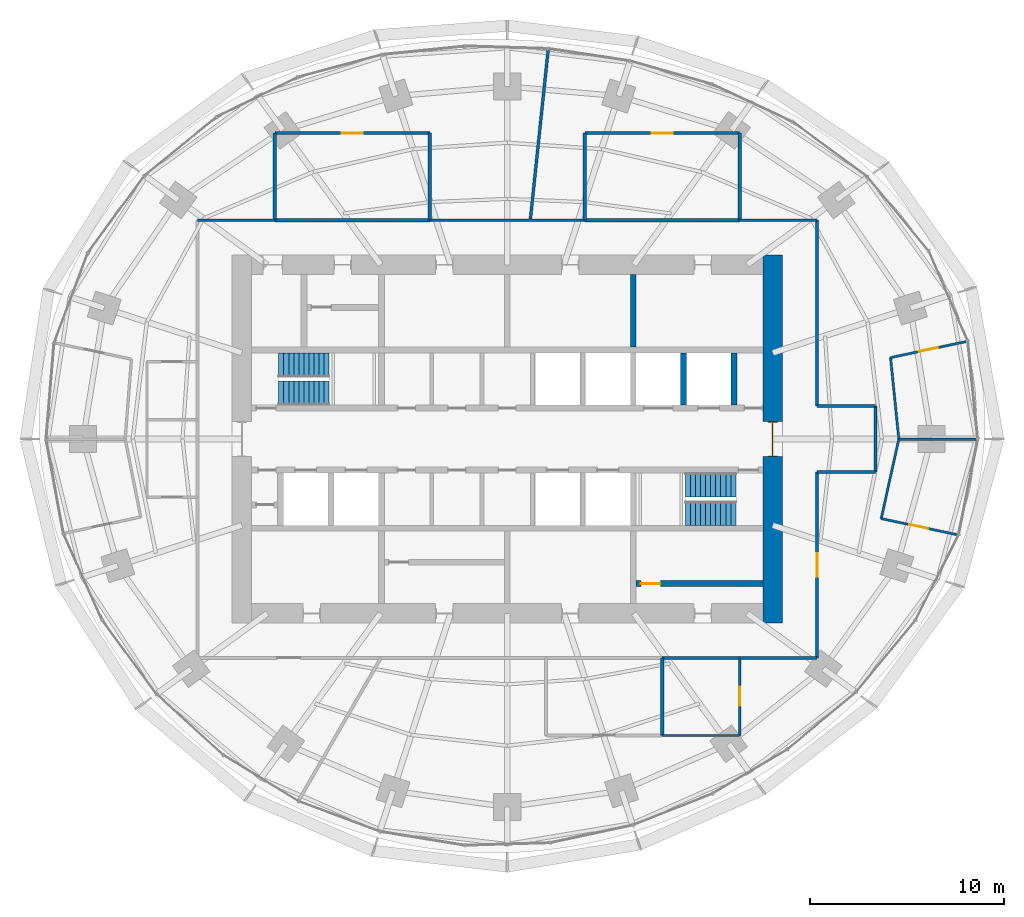
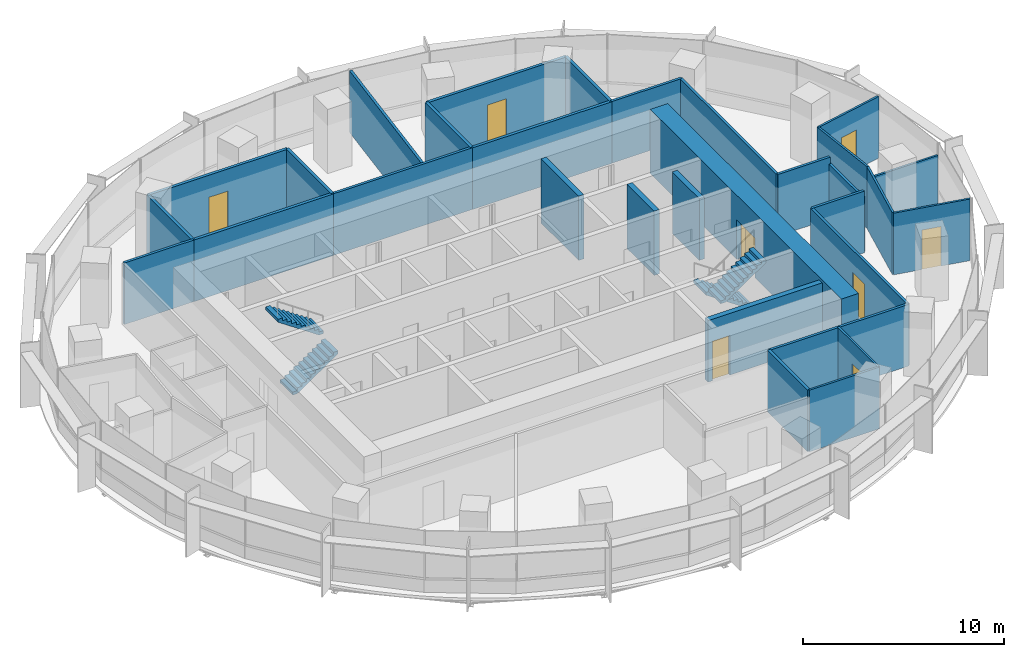
# One storey, part 12 of 14: 31 walls, 8 doors, 4 stair flights, 8 openings, 2 elements without a shape of their own.
"""IFC4 building model written with IfcOpenShell, lengths in metres."""

from ifc_helpers import new_model, si_unit, direction, frame, frame_2d, origin, place, context, subcontext, project, spatial, polyline, rectangle, outline, extrude, material, layer, layer_set, type_object, element, fill, aggregate, save


model = new_model("IFC4")

# Units and contexts
model_context = context("Model", 3, precision=1e-05, world=origin(), true_north=direction((0.0, 1.0)))
body_context = subcontext(model_context, "Body", "Model", "MODEL_VIEW")
ifc_project = project(units=[si_unit("LENGTHUNIT", "METRE"), si_unit("AREAUNIT", "SQUARE_METRE"), si_unit("VOLUMEUNIT", "CUBIC_METRE"), si_unit("PLANEANGLEUNIT", "RADIAN"), si_unit("MASSUNIT", "GRAM", prefix="KILO")], contexts=[model_context])

# Site, building, storey
site_placement = place(None, origin())
site = spatial("IfcSite", under=ifc_project, at=site_placement, CompositionType="ELEMENT")
building_placement = place(site_placement, origin())
building = spatial("IfcBuilding", under=site, at=building_placement, Name="Marramba Exchange Tower", CompositionType="ELEMENT")
storey_placement = place(building_placement, frame((0.0, 0.0, 176.0)))
storey = spatial("IfcBuildingStorey", under=building, at=storey_placement, Name="L42", CompositionType="ELEMENT", Elevation=176.0)

# Walls
ifc_material_1 = material(Name="Plasterboard on staggered double steel studs, acoustic insulation", Category="steel")
ifc_layer_1 = layer(ifc_material_1, 0.169921875)
ifc_layer_set_1 = layer_set([ifc_layer_1], Name="Acoustic partition 170")
wall_type_1 = type_object("IfcWallType", Name="Acoustic partition 170", PredefinedType="PARTITIONING", material=ifc_layer_set_1)
wall_1_placement = place(storey_placement, frame((8.0, -11.300048828125, 0.0), z_axis=(0.0, 0.0, 1.0), x_axis=(0.0, -1.0, 0.0)))
element("IfcWall", 1, at=wall_1_placement, inside=storey, type_object=wall_type_1, Name="Acoustic partition L42 09", PredefinedType="PARTITIONING", context=body_context, shape_type="SweptSolid", body=[
    extrude(rectangle(XDim=4.0, YDim=0.169921875, at=frame_2d((2.0, 0.0))), origin(), (0.0, 0.0, 1.0), 3.739990234375),
])
wall_2_placement = place(storey_placement, frame((12.0, 11.300048828125, 0.0), z_axis=(0.0, 0.0, 1.0), x_axis=(0.0, 1.0, 0.0)))
element("IfcWall", 2, at=wall_2_placement, inside=storey, type_object=wall_type_1, Name="Acoustic partition L42 24", PredefinedType="PARTITIONING", context=body_context, shape_type="SweptSolid", body=[
    extrude(rectangle(XDim=4.5, YDim=0.169921875, at=frame_2d((2.25, 0.0))), origin(), (0.0, 0.0, 1.0), 3.739990234375),
])
wall_3_placement = place(storey_placement, frame((4.0, 11.300048828125, 0.0), z_axis=(0.0, 0.0, 1.0), x_axis=(1.0, 0.0, 0.0)))
element("IfcWall", 3, at=wall_3_placement, inside=storey, type_object=wall_type_1, Name="Acoustic partition L42 25", PredefinedType="PARTITIONING", context=body_context, shape_type="SweptSolid", body=[
    extrude(rectangle(XDim=8.0, YDim=0.169921875, at=frame_2d((4.0, 0.0))), origin(), (0.0, 0.0, 1.0), 3.739990234375),
])

# Wall, opening, door
wall_4_placement = place(storey_placement, frame((12.0, 15.800048828125, 0.0), z_axis=(0.0, 0.0, 1.0), x_axis=(-1.0, 0.0, 0.0)))
wall_4 = element("IfcWall", 4, at=wall_4_placement, inside=storey, type_object=wall_type_1, Name="Acoustic partition L42 26", PredefinedType="PARTITIONING", context=body_context, shape_type="SweptSolid", body=[
    extrude(rectangle(XDim=8.0, YDim=0.169921875, at=frame_2d((4.0, 0.0))), origin(), (0.0, 0.0, 1.0), 3.739990234375),
])
opening_1_placement = place(wall_4_placement, frame((3.449951171875, 0.0, 0.0)))
opening_1 = element("IfcOpeningElement", 5, at=opening_1_placement, cuts=wall_4, Name="Opening D15", PredefinedType="OPENING", context=body_context, shape_type="SweptSolid", body=[
    extrude(rectangle(XDim=1.10009765625, YDim=2.39990234375, at=frame_2d((0.550048828125, 1.199951171875))), frame((0.0, 0.094970703125, 0.0), z_axis=(0.0, -1.0, 0.0), x_axis=(1.0, 0.0, 0.0)), (0.0, 0.0, 1.0), 0.18994140625),
])
ifc_material_2 = material(Name="Timber door", Category="wood")
door_type_1 = type_object("IfcDoorType", Name="Glazed meeting room door 1100x2400", OperationType="SINGLE_SWING_LEFT", PredefinedType="DOOR", material=ifc_material_2)
door_1_placement = place(opening_1_placement, origin())
door_1 = element("IfcDoor", 6, at=door_1_placement, inside=storey, type_object=door_type_1, Name="D15 Meeting Room 1 L42", OperationType="SINGLE_SWING_RIGHT", OverallHeight=2.39990234375, OverallWidth=1.10009765625, PredefinedType="DOOR", context=body_context, shape_type="SweptSolid", body=[
    extrude(rectangle(XDim=1.10009765625, YDim=2.39990234375, at=frame_2d((0.550048828125, 1.199951171875))), frame((0.0, 0.02490234375, 0.0), z_axis=(0.0, -1.0, 0.0), x_axis=(1.0, 0.0, 0.0)), (0.0, 0.0, 1.0), 0.050048828125),
])
fill(opening_1, door_1)

# Walls
for number, where, z_axis, x_axis, name in (
    (7, (4.0, 15.800048828125, 0.0), (0.0, 0.0, 1.0), (0.0, -1.0, 0.0), "Acoustic partition L42 27"),
    (8, (-4.0, 11.300048828125, 0.0), (0.0, 0.0, 1.0), (0.0, 1.0, 0.0), "Acoustic partition L42 30"),
):
    element("IfcWall", number, at=place(storey_placement, frame(where, z_axis=z_axis, x_axis=x_axis)), inside=storey, type_object=wall_type_1, Name=name, PredefinedType="PARTITIONING", context=body_context, shape_type="SweptSolid", body=[
        extrude(rectangle(XDim=4.5, YDim=0.169921875, at=frame_2d((2.25, 0.0))), origin(), (0.0, 0.0, 1.0), 3.739990234375),
    ])

# Wall, opening, door
wall_5_placement = place(storey_placement, frame((-4.0, 15.800048828125, 0.0), z_axis=(0.0, 0.0, 1.0), x_axis=(-1.0, 0.0, 0.0)))
wall_5 = element("IfcWall", 9, at=wall_5_placement, inside=storey, type_object=wall_type_1, Name="Acoustic partition L42 31", PredefinedType="PARTITIONING", context=body_context, shape_type="SweptSolid", body=[
    extrude(rectangle(XDim=8.0, YDim=0.169921875, at=frame_2d((4.0, 0.0))), origin(), (0.0, 0.0, 1.0), 3.739990234375),
])
opening_2_placement = place(wall_5_placement, frame((3.449951171875, 0.0, 0.0)))
opening_2 = element("IfcOpeningElement", 10, at=opening_2_placement, cuts=wall_5, Name="Opening D15", PredefinedType="OPENING", context=body_context, shape_type="SweptSolid", body=[
    extrude(rectangle(XDim=1.10009765625, YDim=2.39990234375, at=frame_2d((0.550048828125, 1.199951171875))), frame((0.0, 0.094970703125, 0.0), z_axis=(0.0, -1.0, 0.0), x_axis=(1.0, 0.0, 0.0)), (0.0, 0.0, 1.0), 0.18994140625),
])
door_2_placement = place(opening_2_placement, origin())
door_2 = element("IfcDoor", 11, at=door_2_placement, inside=storey, type_object=door_type_1, Name="D15 Meeting Room 3 L42", OperationType="SINGLE_SWING_RIGHT", OverallHeight=2.39990234375, OverallWidth=1.10009765625, PredefinedType="DOOR", context=body_context, shape_type="SweptSolid", body=[
    extrude(rectangle(XDim=1.10009765625, YDim=2.39990234375, at=frame_2d((0.550048828125, 1.199951171875))), frame((0.0, 0.02490234375, 0.0), z_axis=(0.0, -1.0, 0.0), x_axis=(1.0, 0.0, 0.0)), (0.0, 0.0, 1.0), 0.050048828125),
])
fill(opening_2, door_2)

# Walls
wall_6_placement = place(storey_placement, frame((-12.0, 11.300048828125, 0.0), z_axis=(0.0, 0.0, 1.0), x_axis=(1.0, 0.0, 0.0)))
element("IfcWall", 12, at=wall_6_placement, inside=storey, type_object=wall_type_1, Name="Acoustic partition L42 32", PredefinedType="PARTITIONING", context=body_context, shape_type="SweptSolid", body=[
    extrude(rectangle(XDim=8.0, YDim=0.169921875, at=frame_2d((4.0, 0.0))), origin(), (0.0, 0.0, 1.0), 3.739990234375),
])
wall_7_placement = place(storey_placement, frame((-12.0, 15.800048828125, 0.0), z_axis=(0.0, 0.0, 1.0), x_axis=(0.0, -1.0, 0.0)))
element("IfcWall", 13, at=wall_7_placement, inside=storey, type_object=wall_type_1, Name="Acoustic partition L42 33", PredefinedType="PARTITIONING", context=body_context, shape_type="SweptSolid", body=[
    extrude(rectangle(XDim=4.5, YDim=0.169921875, at=frame_2d((2.25, 0.0))), origin(), (0.0, 0.0, 1.0), 3.739990234375),
])

# Wall, opening, door
ifc_material_3 = material(Name="Concrete N50", Category="concrete")
ifc_layer_2 = layer(ifc_material_3, 1.0)
ifc_layer_set_2 = layer_set([ifc_layer_2], Name="Core wall 1000")
wall_type_2 = type_object("IfcWallType", Name="Core wall 1000", PredefinedType="SHEAR", material=ifc_layer_set_2)
wall_8_placement = place(storey_placement, frame((13.699951171875, -9.5, 0.0), z_axis=(0.0, 0.0, 1.0), x_axis=(0.0, 1.0, 0.0)))
wall_8 = element("IfcWall", 14, at=wall_8_placement, inside=storey, type_object=wall_type_2, Name="Core wall E L42", PredefinedType="SHEAR", context=body_context, shape_type="SweptSolid", body=[
    extrude(rectangle(XDim=19.0, YDim=1.0, at=frame_2d((9.5, 0.0))), origin(), (0.0, 0.0, 1.0), 3.89990234375),
])
opening_3_placement = place(wall_8_placement, frame((8.60009765625, 0.0, 0.0)))
opening_3 = element("IfcOpeningElement", 15, at=opening_3_placement, cuts=wall_8, Name="Opening D1", PredefinedType="OPENING", context=body_context, shape_type="SweptSolid", body=[
    extrude(rectangle(XDim=1.800048828125, YDim=2.39990234375, at=frame_2d((0.89990234375, 1.199951171875))), frame((0.0, 0.510009765625, 0.0), z_axis=(0.0, -1.0, 0.0), x_axis=(1.0, 0.0, 0.0)), (0.0, 0.0, 1.0), 1.02001953125),
])
ifc_material_4 = material(Name="Steel-framed door", Category="steel")
door_type_2 = type_object("IfcDoorType", Name="Lobby exit door 1800x2400", OperationType="DOUBLE_DOOR_SINGLE_SWING", PredefinedType="DOOR", material=ifc_material_4)
door_3_placement = place(opening_3_placement, origin())
door_3 = element("IfcDoor", 16, at=door_3_placement, inside=storey, type_object=door_type_2, Name="D1 lobby exit east L42", OperationType="DOUBLE_DOOR_SINGLE_SWING", OverallHeight=2.39990234375, OverallWidth=1.800048828125, PredefinedType="DOOR", context=body_context, shape_type="SweptSolid", body=[
    extrude(rectangle(XDim=1.719970703125, YDim=2.35986328125, at=frame_2d((0.89990234375, 1.179931640625))), frame((0.0, 0.02490234375, 0.0), z_axis=(0.0, -1.0, 0.0), x_axis=(1.0, 0.0, 0.0)), (0.0, 0.0, 1.0), 0.050048828125),
    extrude(rectangle(XDim=0.04, YDim=2.39990234375, at=frame_2d((0.02001953125, 1.199951171875))), frame((0.0, 0.25, 0.0), z_axis=(0.0, -1.0, 0.0), x_axis=(1.0, 0.0, 0.0)), (0.0, 0.0, 1.0), 0.5),
    extrude(rectangle(XDim=0.04, YDim=2.39990234375, at=frame_2d((1.780029296875, 1.199951171875))), frame((0.0, 0.25, 0.0), z_axis=(0.0, -1.0, 0.0), x_axis=(1.0, 0.0, 0.0)), (0.0, 0.0, 1.0), 0.5),
    extrude(rectangle(XDim=1.719970703125, YDim=0.04, at=frame_2d((0.89990234375, 2.3798828125))), frame((0.0, 0.25, 0.0), z_axis=(0.0, -1.0, 0.0), x_axis=(1.0, 0.0, 0.0)), (0.0, 0.0, 1.0), 0.5),
])
fill(opening_3, door_3)

# Walls
ifc_layer_3 = layer(ifc_material_3, 0.300048828125)
ifc_layer_set_3 = layer_set([ifc_layer_3], Name="Core wall 300")
wall_type_3 = type_object("IfcWallType", Name="Core wall 300", PredefinedType="SHEAR", material=ifc_layer_set_3)
wall_9_placement = place(storey_placement, frame((6.5, 4.75, 0.0), z_axis=(0.0, 0.0, 1.0), x_axis=(0.0, 1.0, 0.0)))
element("IfcWall", 17, at=wall_9_placement, inside=storey, type_object=wall_type_3, Name="Core wall X1Nb L42", PredefinedType="SHEAR", context=body_context, shape_type="SweptSolid", body=[
    extrude(rectangle(XDim=3.75, YDim=0.300048828125, at=frame_2d((1.875, 0.0))), origin(), (0.0, 0.0, 1.0), 3.89990234375),
])
wall_10_placement = place(storey_placement, frame((9.10009765625, 1.75, 0.0), z_axis=(0.0, 0.0, 1.0), x_axis=(0.0, 1.0, 0.0)))
element("IfcWall", 18, at=wall_10_placement, inside=storey, type_object=wall_type_3, Name="Core wall ED L42", PredefinedType="SHEAR", context=body_context, shape_type="SweptSolid", body=[
    extrude(rectangle(XDim=2.699951171875, YDim=0.300048828125, at=frame_2d((1.35009765625, 0.0))), origin(), (0.0, 0.0, 1.0), 3.89990234375),
])
ifc_material_5 = material(Name="Core-filled concrete blockwork", Category="masonry")
ifc_layer_4 = layer(ifc_material_5, 0.300048828125)
ifc_layer_set_4 = layer_set([ifc_layer_4], Name="Lift shaft wall 300")
wall_type_4 = type_object("IfcWallType", Name="Lift shaft wall 300", PredefinedType="SOLIDWALL", material=ifc_layer_set_4)
wall_11_placement = place(storey_placement, frame((11.699951171875, 1.75, 0.0), z_axis=(0.0, 0.0, 1.0), x_axis=(0.0, 1.0, 0.0)))
element("IfcWall", 19, at=wall_11_placement, inside=storey, type_object=wall_type_4, Name="Lift shaft wall E1 L42", PredefinedType="SOLIDWALL", context=body_context, shape_type="SweptSolid", body=[
    extrude(rectangle(XDim=2.699951171875, YDim=0.300048828125, at=frame_2d((1.35009765625, 0.0))), origin(), (0.0, 0.0, 1.0), 3.739990234375),
])
ifc_material_6 = material(Name="Plasterboard on steel studs", Category="steel")
ifc_layer_5 = layer(ifc_material_6, 0.1201171875)
ifc_layer_set_5 = layer_set([ifc_layer_5], Name="Partition 120")
wall_type_5 = type_object("IfcWallType", Name="Partition 120", PredefinedType="PARTITIONING", material=ifc_layer_set_5)
wall_12_placement = place(storey_placement, frame((8.0, -15.300048828125, 0.0), z_axis=(0.0, 0.0, 1.0), x_axis=(1.0, 0.0, 0.0)))
element("IfcWall", 20, at=wall_12_placement, inside=storey, type_object=wall_type_5, Name="Partition L42 10", PredefinedType="PARTITIONING", context=body_context, shape_type="SweptSolid", body=[
    extrude(rectangle(XDim=4.0, YDim=0.1201171875, at=frame_2d((2.0, 0.0))), origin(), (0.0, 0.0, 1.0), 3.739990234375),
])

# Wall, opening, door
wall_13_placement = place(storey_placement, frame((12.0, -15.300048828125, 0.0), z_axis=(0.0, 0.0, 1.0), x_axis=(0.0, 1.0, 0.0)))
wall_13 = element("IfcWall", 21, at=wall_13_placement, inside=storey, type_object=wall_type_5, Name="Partition L42 11", PredefinedType="PARTITIONING", context=body_context, shape_type="SweptSolid", body=[
    extrude(rectangle(XDim=4.0, YDim=0.1201171875, at=frame_2d((2.0, 0.0))), origin(), (0.0, 0.0, 1.0), 3.739990234375),
])
opening_4_placement = place(wall_13_placement, frame((1.52587890625, 0.0, 0.0)))
opening_4 = element("IfcOpeningElement", 22, at=opening_4_placement, cuts=wall_13, Name="Opening D9", PredefinedType="OPENING", context=body_context, shape_type="SweptSolid", body=[
    extrude(rectangle(XDim=1.0, YDim=2.39990234375, at=frame_2d((0.5, 1.199951171875))), frame((0.0, 0.070068359375, 0.0), z_axis=(0.0, -1.0, 0.0), x_axis=(1.0, 0.0, 0.0)), (0.0, 0.0, 1.0), 0.14013671875),
])
door_type_3 = type_object("IfcDoorType", Name="Room door 1000x2400", OperationType="SINGLE_SWING_LEFT", PredefinedType="DOOR", material=ifc_material_2)
door_4_placement = place(opening_4_placement, origin())
door_4 = element("IfcDoor", 23, at=door_4_placement, inside=storey, type_object=door_type_3, Name="D9 Pantry 1 L42", OperationType="SINGLE_SWING_RIGHT", OverallHeight=2.39990234375, OverallWidth=1.0, PredefinedType="DOOR", context=body_context, shape_type="SweptSolid", body=[
    extrude(rectangle(XDim=1.0, YDim=2.39990234375, at=frame_2d((0.5, 1.199951171875))), frame((0.0, 0.02490234375, 0.0), z_axis=(0.0, -1.0, 0.0), x_axis=(1.0, 0.0, 0.0)), (0.0, 0.0, 1.0), 0.050048828125),
])
fill(opening_4, door_4)

wall_14_placement = place(storey_placement, frame((19.3056640625, -4.103515625, 0.0), z_axis=(0.0, 0.0, 1.0), x_axis=(0.978137903693, -0.207957306576, 0.0)))
wall_14 = element("IfcWall", 24, at=wall_14_placement, inside=storey, type_object=wall_type_5, Name="Partition L42 14", PredefinedType="PARTITIONING", context=body_context, shape_type="SweptSolid", body=[
    extrude(rectangle(XDim=3.999755859375, YDim=0.1201171875, at=frame_2d((2.0, 0.0))), origin(), (0.0, 0.0, 1.0), 3.739990234375),
])
opening_5_placement = place(wall_14_placement, frame((1.47412109375, 0.0, 0.0)))
opening_5 = element("IfcOpeningElement", 25, at=opening_5_placement, cuts=wall_14, Name="Opening D9", PredefinedType="OPENING", context=body_context, shape_type="SweptSolid", body=[
    extrude(rectangle(XDim=1.0, YDim=2.39990234375, at=frame_2d((0.5, 1.199951171875))), frame((0.0, 0.070068359375, 0.0), z_axis=(0.0, -1.0, 0.0), x_axis=(1.0, 0.0, 0.0)), (0.0, 0.0, 1.0), 0.14013671875),
])
door_5_placement = place(opening_5_placement, origin())
door_5 = element("IfcDoor", 26, at=door_5_placement, inside=storey, type_object=door_type_3, Name="D9 Office 1 L42", OperationType="SINGLE_SWING_LEFT", OverallHeight=2.39990234375, OverallWidth=1.0, PredefinedType="DOOR", context=body_context, shape_type="SweptSolid", body=[
    extrude(rectangle(XDim=1.0, YDim=2.39990234375, at=frame_2d((0.5, 1.199951171875))), frame((0.0, 0.02490234375, 0.0), z_axis=(0.0, -1.0, 0.0), x_axis=(1.0, 0.0, 0.0)), (0.0, 0.0, 1.0), 0.050048828125),
])
fill(opening_5, door_5)

# Walls
wall_15_placement = place(storey_placement, frame((20.214111328125, 0.0, 0.0), z_axis=(0.0, 0.0, 1.0), x_axis=(-0.216149261834, -0.976360331337, 0.0)))
element("IfcWall", 27, at=wall_15_placement, inside=storey, type_object=wall_type_5, Name="Partition L42 15", PredefinedType="PARTITIONING", context=body_context, shape_type="SweptSolid", body=[
    extrude(rectangle(XDim=4.202880859375, YDim=0.1201171875, at=frame_2d((2.1015625, 0.0))), origin(), (0.0, 0.0, 1.0), 3.739990234375),
])
wall_16_placement = place(storey_placement, frame((20.214111328125, 0.0, 0.0), z_axis=(0.0, 0.0, 1.0), x_axis=(1.0, 0.0, 0.0)))
element("IfcWall", 28, at=wall_16_placement, inside=storey, type_object=wall_type_5, Name="Partition L42 18", PredefinedType="PARTITIONING", context=body_context, shape_type="SweptSolid", body=[
    extrude(rectangle(XDim=4.0, YDim=0.1201171875, at=frame_2d((2.0, 0.0))), origin(), (0.0, 0.0, 1.0), 3.0400390625),
])
wall_17_placement = place(storey_placement, frame((19.787841796875, 4.2060546875, 0.0), z_axis=(0.0, 0.0, 1.0), x_axis=(0.100830147459, -0.994903654312, 0.0)))
element("IfcWall", 29, at=wall_17_placement, inside=storey, type_object=wall_type_5, Name="Partition L42 20", PredefinedType="PARTITIONING", context=body_context, shape_type="SweptSolid", body=[
    extrude(rectangle(XDim=4.2275390625, YDim=0.1201171875, at=frame_2d((2.11376953125, 0.0))), origin(), (0.0, 0.0, 1.0), 3.739990234375),
])

# Wall, opening, door
wall_18_placement = place(storey_placement, frame((23.700439453125, 5.03759765625, 0.0), z_axis=(0.0, 0.0, 1.0), x_axis=(-0.978152955943, -0.207886494942, 0.0)))
wall_18 = element("IfcWall", 30, at=wall_18_placement, inside=storey, type_object=wall_type_5, Name="Partition L42 21", PredefinedType="PARTITIONING", context=body_context, shape_type="SweptSolid", body=[
    extrude(rectangle(XDim=4.0, YDim=0.1201171875, at=frame_2d((2.0, 0.0))), origin(), (0.0, 0.0, 1.0), 3.739990234375),
])
opening_6_placement = place(wall_18_placement, frame((1.5, 0.0, 0.0)))
opening_6 = element("IfcOpeningElement", 31, at=opening_6_placement, cuts=wall_18, Name="Opening D9", PredefinedType="OPENING", context=body_context, shape_type="SweptSolid", body=[
    extrude(rectangle(XDim=1.0, YDim=2.39990234375, at=frame_2d((0.5, 1.199951171875))), frame((0.0, 0.070068359375, 0.0), z_axis=(0.0, -1.0, 0.0), x_axis=(1.0, 0.0, 0.0)), (0.0, 0.0, 1.0), 0.14013671875),
])
door_6_placement = place(opening_6_placement, origin())
door_6 = element("IfcDoor", 32, at=door_6_placement, inside=storey, type_object=door_type_3, Name="D9 Office 2 L42", OperationType="SINGLE_SWING_RIGHT", OverallHeight=2.39990234375, OverallWidth=1.0, PredefinedType="DOOR", context=body_context, shape_type="SweptSolid", body=[
    extrude(rectangle(XDim=1.0, YDim=2.39990234375, at=frame_2d((0.5, 1.199951171875))), frame((0.0, 0.02490234375, 0.0), z_axis=(0.0, -1.0, 0.0), x_axis=(1.0, 0.0, 0.0)), (0.0, 0.0, 1.0), 0.050048828125),
])
fill(opening_6, door_6)

ifc_material_7 = material(Name="Plasterboard on steel studs, insulated, unrated", Category="steel")
ifc_layer_6 = layer(ifc_material_7, 0.300048828125)
ifc_layer_set_6 = layer_set([ifc_layer_6], Name="Store partition 300")
wall_type_6 = type_object("IfcWallType", Name="Store partition 300", PredefinedType="PARTITIONING", material=ifc_layer_set_6)
wall_19_placement = place(storey_placement, frame((6.64990234375, -7.4599609375, 0.0), z_axis=(0.0, 0.0, 1.0), x_axis=(1.0, 0.0, 0.0)))
wall_19 = element("IfcWall", 33, at=wall_19_placement, inside=storey, type_object=wall_type_6, Name="Store partition L42 cstore", PredefinedType="PARTITIONING", context=body_context, shape_type="SweptSolid", body=[
    extrude(rectangle(XDim=6.550048828125, YDim=0.300048828125, at=frame_2d((3.27490234375, 0.0))), origin(), (0.0, 0.0, 1.0), 3.739990234375),
])
opening_7_placement = place(wall_19_placement, frame((0.25, 0.0, 0.0)))
opening_7 = element("IfcOpeningElement", 34, at=opening_7_placement, cuts=wall_19, Name="Opening D9", PredefinedType="OPENING", context=body_context, shape_type="SweptSolid", body=[
    extrude(rectangle(XDim=1.0, YDim=2.39990234375, at=frame_2d((0.5, 1.199951171875))), frame((0.0, 0.159912109375, 0.0), z_axis=(0.0, -1.0, 0.0), x_axis=(1.0, 0.0, 0.0)), (0.0, 0.0, 1.0), 0.320068359375),
])
door_7_placement = place(opening_7_placement, frame((1.0, 0.0, 0.0), z_axis=(0.0, 0.0, 1.0), x_axis=(-1.0, 0.0, 0.0)))
door_7 = element("IfcDoor", 35, at=door_7_placement, inside=storey, type_object=door_type_3, Name="D9 general store L42", OperationType="SINGLE_SWING_RIGHT", OverallHeight=2.39990234375, OverallWidth=1.0, PredefinedType="DOOR", context=body_context, shape_type="SweptSolid", body=[
    extrude(rectangle(XDim=1.0, YDim=2.39990234375, at=frame_2d((0.5, 1.199951171875))), frame((0.0, 0.025146484375, 0.0), z_axis=(0.0, -1.0, 0.0), x_axis=(1.0, 0.0, 0.0)), (0.0, 0.0, 1.0), 0.050048828125),
])
fill(opening_7, door_7)

# Wall
ifc_material_8 = material(Name="Fire-rated plasterboard on steel studs, acoustic insulation", Category="steel")
ifc_layer_7 = layer(ifc_material_8, 0.14990234375)
ifc_layer_set_7 = layer_set([ifc_layer_7], Name="Tenancy wall 150")
wall_type_7 = type_object("IfcWallType", Name="Tenancy wall 150", PredefinedType="PARTITIONING", material=ifc_layer_set_7)
wall_20_placement = place(storey_placement, frame((8.0, -11.300048828125, 0.0), z_axis=(0.0, 0.0, 1.0), x_axis=(1.0, 0.0, 0.0)))
element("IfcWall", 36, at=wall_20_placement, inside=storey, type_object=wall_type_7, Name="Tenancy wall L42 12", PredefinedType="PARTITIONING", context=body_context, shape_type="SweptSolid", body=[
    extrude(rectangle(XDim=8.0, YDim=0.14990234375, at=frame_2d((4.0, 0.0))), origin(), (0.0, 0.0, 1.0), 3.739990234375),
])

# Wall, opening, door
wall_21_placement = place(storey_placement, frame((16.0, -11.300048828125, 0.0), z_axis=(0.0, 0.0, 1.0), x_axis=(0.0, 1.0, 0.0)))
wall_21 = element("IfcWall", 37, at=wall_21_placement, inside=storey, type_object=wall_type_7, Name="Tenancy wall L42 13", PredefinedType="PARTITIONING", context=body_context, shape_type="SweptSolid", body=[
    extrude(rectangle(XDim=9.60009765625, YDim=0.14990234375, at=frame_2d((4.800048828125, 0.0))), origin(), (0.0, 0.0, 1.0), 3.739990234375),
])
opening_8_placement = place(wall_21_placement, frame((4.199951171875, 0.0, 0.0)))
opening_8 = element("IfcOpeningElement", 38, at=opening_8_placement, cuts=wall_21, Name="Opening D13", PredefinedType="OPENING", context=body_context, shape_type="SweptSolid", body=[
    extrude(rectangle(XDim=1.199951171875, YDim=2.39990234375, at=frame_2d((0.60009765625, 1.199951171875))), frame((0.0, 0.0849609375, 0.0), z_axis=(0.0, -1.0, 0.0), x_axis=(1.0, 0.0, 0.0)), (0.0, 0.0, 1.0), 0.169921875),
])
door_type_4 = type_object("IfcDoorType", Name="Tenancy entry door 1200x2400", OperationType="SINGLE_SWING_LEFT", PredefinedType="DOOR", material=ifc_material_4)
door_8_placement = place(opening_8_placement, origin())
door_8 = element("IfcDoor", 39, at=door_8_placement, inside=storey, type_object=door_type_4, Name="D13 Office 1 L42", OperationType="SINGLE_SWING_LEFT", OverallHeight=2.39990234375, OverallWidth=1.199951171875, PredefinedType="DOOR", context=body_context, shape_type="SweptSolid", body=[
    extrude(rectangle(XDim=1.199951171875, YDim=2.39990234375, at=frame_2d((0.60009765625, 1.199951171875))), frame((0.0, 0.02490234375, 0.0), z_axis=(0.0, -1.0, 0.0), x_axis=(1.0, 0.0, 0.0)), (0.0, 0.0, 1.0), 0.050048828125),
])
fill(opening_8, door_8)

# Walls
wall_22_placement = place(storey_placement, frame((16.0, -1.699951171875, 0.0), z_axis=(0.0, 0.0, 1.0), x_axis=(1.0, 0.0, 0.0)))
element("IfcWall", 40, at=wall_22_placement, inside=storey, type_object=wall_type_7, Name="Tenancy wall L42 16", PredefinedType="PARTITIONING", context=body_context, shape_type="SweptSolid", body=[
    extrude(rectangle(XDim=3.0, YDim=0.14990234375, at=frame_2d((1.5, 0.0))), origin(), (0.0, 0.0, 1.0), 3.739990234375),
])
wall_23_placement = place(storey_placement, frame((19.0, -1.699951171875, 0.0), z_axis=(0.0, 0.0, 1.0), x_axis=(0.0, 1.0, 0.0)))
element("IfcWall", 41, at=wall_23_placement, inside=storey, type_object=wall_type_7, Name="Tenancy wall L42 17", PredefinedType="PARTITIONING", context=body_context, shape_type="SweptSolid", body=[
    extrude(rectangle(XDim=3.39990234375, YDim=0.14990234375, at=frame_2d((1.699951171875, 0.0))), origin(), (0.0, 0.0, 1.0), 3.333984375),
])
wall_24_placement = place(storey_placement, frame((19.0, 1.699951171875, 0.0), z_axis=(0.0, 0.0, 1.0), x_axis=(-1.0, 0.0, 0.0)))
element("IfcWall", 42, at=wall_24_placement, inside=storey, type_object=wall_type_7, Name="Tenancy wall L42 19", PredefinedType="PARTITIONING", context=body_context, shape_type="SweptSolid", body=[
    extrude(rectangle(XDim=3.0, YDim=0.14990234375, at=frame_2d((1.5, 0.0))), origin(), (0.0, 0.0, 1.0), 3.739990234375),
])
wall_25_placement = place(storey_placement, frame((16.0, 1.699951171875, 0.0), z_axis=(0.0, 0.0, 1.0), x_axis=(0.0, 1.0, 0.0)))
element("IfcWall", 43, at=wall_25_placement, inside=storey, type_object=wall_type_7, Name="Tenancy wall L42 22", PredefinedType="PARTITIONING", context=body_context, shape_type="SweptSolid", body=[
    extrude(rectangle(XDim=9.60009765625, YDim=0.14990234375, at=frame_2d((4.800048828125, 0.0))), origin(), (0.0, 0.0, 1.0), 3.739990234375),
])
wall_26_placement = place(storey_placement, frame((16.0, 11.300048828125, 0.0), z_axis=(0.0, 0.0, 1.0), x_axis=(-1.0, 0.0, 0.0)))
element("IfcWall", 44, at=wall_26_placement, inside=storey, type_object=wall_type_7, Name="Tenancy wall L42 23", PredefinedType="PARTITIONING", context=body_context, shape_type="SweptSolid", body=[
    extrude(rectangle(XDim=4.0, YDim=0.14990234375, at=frame_2d((2.0, 0.0))), origin(), (0.0, 0.0, 1.0), 3.739990234375),
])
wall_27_placement = place(storey_placement, frame((1.187744140625, 11.300048828125, 0.0), z_axis=(0.0, 0.0, 1.0), x_axis=(0.104530715581, 0.994521658638, 0.0)))
element("IfcWall", 45, at=wall_27_placement, inside=storey, type_object=wall_type_7, Name="Tenancy wall L42 28", PredefinedType="PARTITIONING", context=body_context, shape_type="SweptSolid", body=[
    extrude(rectangle(XDim=8.826171875, YDim=0.14990234375, at=frame_2d((4.4130859375, 0.0))), origin(), (0.0, 0.0, 1.0), 3.739990234375),
])
wall_28_placement = place(storey_placement, frame((4.0, 11.300048828125, 0.0), z_axis=(0.0, 0.0, 1.0), x_axis=(-1.0, 0.0, 0.0)))
element("IfcWall", 46, at=wall_28_placement, inside=storey, type_object=wall_type_7, Name="Tenancy wall L42 29", PredefinedType="PARTITIONING", context=body_context, shape_type="SweptSolid", body=[
    extrude(rectangle(XDim=8.0, YDim=0.14990234375, at=frame_2d((4.0, 0.0))), origin(), (0.0, 0.0, 1.0), 3.739990234375),
])
wall_29_placement = place(storey_placement, frame((-12.0, 11.300048828125, 0.0), z_axis=(0.0, 0.0, 1.0), x_axis=(-1.0, 0.0, 0.0)))
element("IfcWall", 47, at=wall_29_placement, inside=storey, type_object=wall_type_7, Name="Tenancy wall L42 34", PredefinedType="PARTITIONING", context=body_context, shape_type="SweptSolid", body=[
    extrude(rectangle(XDim=4.0, YDim=0.14990234375, at=frame_2d((2.0, 0.0))), origin(), (0.0, 0.0, 1.0), 3.739990234375),
])

# Stair, stair flights
ifc_material_9 = material(Name="Concrete N40 (40 MPa)", Category="concrete")
stair_type_1 = type_object("IfcStairType", Name="Exit stair ST1 3900 x 1250", PredefinedType="HALF_TURN_STAIR", material=ifc_material_9)
stair_1_placement = place(storey_placement, origin())
stair_1 = element("IfcStair", 48, at=stair_1_placement, inside=storey, type_object=stair_type_1, Name="Exit stair ST1 L42", PredefinedType="HALF_TURN_STAIR")
stair_flight_type_1 = type_object("IfcStairFlightType", Name="ST1 stair flight 1773 riser 1250 wide", PredefinedType="STRAIGHT", material=ifc_material_9)
stair_flight_1_placement = place(storey_placement, frame((-11.800048828125, 2.375, 0.0), z_axis=(0.0, 0.0, 1.0), x_axis=(1.0, 0.0, 0.0)))
stair_flight_1 = element("IfcStairFlight", 49, at=stair_flight_1_placement, type_object=stair_flight_type_1, Name="ST1 flight 1", NumberOfRisers=11, NumberOfTreads=10, PredefinedType="STRAIGHT", RiserHeight=0.177272727, TreadLength=0.26, context=body_context, shape_type="SweptSolid", body=[
    extrude(outline(polyline([(0.0, 0.0), (0.0, 0.17724609375), (0.260009765625, 0.17724609375), (0.260009765625, 0.3544921875), (0.52001953125, 0.3544921875), (0.52001953125, 0.53173828125), (0.780029296875, 0.53173828125), (0.780029296875, 0.708984375), (1.0400390625, 0.708984375), (1.0400390625, 0.886474609375), (1.300048828125, 0.886474609375), (1.300048828125, 1.063720703125), (1.56005859375, 1.063720703125), (1.56005859375, 1.240966796875), (1.820068359375, 1.240966796875), (1.820068359375, 1.418212890625), (2.080078125, 1.418212890625), (2.080078125, 1.595458984375), (2.340087890625, 1.595458984375), (2.340087890625, 1.772705078125), (2.60009765625, 1.772705078125), (2.60009765625, 1.949951171875), (2.60009765625, 1.59130859375), (0.26611328125, 0.0), (0.0, 0.0)])), frame((0.0, 0.625, 0.0), z_axis=(0.0, -1.0, 0.0), x_axis=(1.0, 0.0, 0.0)), (0.0, 0.0, 1.0), 1.25),
])
stair_flight_2_placement = place(storey_placement, frame((-9.199951171875, 3.824951171875, 1.949951171875), z_axis=(0.0, 0.0, 1.0), x_axis=(-1.0, 0.0, 0.0)))
stair_flight_2 = element("IfcStairFlight", 50, at=stair_flight_2_placement, type_object=stair_flight_type_1, Name="ST1 flight 2", NumberOfRisers=11, NumberOfTreads=10, PredefinedType="STRAIGHT", RiserHeight=0.177272727, TreadLength=0.26, context=body_context, shape_type="SweptSolid", body=[
    extrude(outline(polyline([(0.0, 0.0), (0.0, 0.17724609375), (0.260009765625, 0.17724609375), (0.260009765625, 0.3544921875), (0.52001953125, 0.3544921875), (0.52001953125, 0.53173828125), (0.780029296875, 0.53173828125), (0.780029296875, 0.708984375), (1.0400390625, 0.708984375), (1.0400390625, 0.886474609375), (1.300048828125, 0.886474609375), (1.300048828125, 1.063720703125), (1.56005859375, 1.063720703125), (1.56005859375, 1.240966796875), (1.820068359375, 1.240966796875), (1.820068359375, 1.418212890625), (2.080078125, 1.418212890625), (2.080078125, 1.595458984375), (2.340087890625, 1.595458984375), (2.340087890625, 1.772705078125), (2.60009765625, 1.772705078125), (2.60009765625, 1.949951171875), (2.60009765625, 1.59130859375), (0.26611328125, 0.0), (0.0, 0.0)])), frame((0.0, 0.625, 0.0), z_axis=(0.0, -1.0, 0.0), x_axis=(1.0, 0.0, 0.0)), (0.0, 0.0, 1.0), 1.25),
])
aggregate(stair_1, [stair_flight_1, stair_flight_2])

stair_type_2 = type_object("IfcStairType", Name="Exit stair ST2 3900 x 1250", PredefinedType="HALF_TURN_STAIR", material=ifc_material_9)
stair_2_placement = place(storey_placement, origin())
stair_2 = element("IfcStair", 51, at=stair_2_placement, inside=storey, type_object=stair_type_2, Name="Exit stair ST2 L42", PredefinedType="HALF_TURN_STAIR")
stair_flight_type_2 = type_object("IfcStairFlightType", Name="ST2 stair flight 1773 riser 1250 wide", PredefinedType="STRAIGHT", material=ifc_material_9)
stair_flight_3_placement = place(storey_placement, frame((11.800048828125, -2.375, 0.0), z_axis=(0.0, 0.0, 1.0), x_axis=(-1.0, 0.0, 0.0)))
stair_flight_3 = element("IfcStairFlight", 52, at=stair_flight_3_placement, type_object=stair_flight_type_2, Name="ST2 flight 1", NumberOfRisers=11, NumberOfTreads=10, PredefinedType="STRAIGHT", RiserHeight=0.177272727, TreadLength=0.26, context=body_context, shape_type="SweptSolid", body=[
    extrude(outline(polyline([(0.0, 0.0), (0.0, 0.17724609375), (0.260009765625, 0.17724609375), (0.260009765625, 0.3544921875), (0.52001953125, 0.3544921875), (0.52001953125, 0.53173828125), (0.780029296875, 0.53173828125), (0.780029296875, 0.708984375), (1.0400390625, 0.708984375), (1.0400390625, 0.886474609375), (1.300048828125, 0.886474609375), (1.300048828125, 1.063720703125), (1.56005859375, 1.063720703125), (1.56005859375, 1.240966796875), (1.820068359375, 1.240966796875), (1.820068359375, 1.418212890625), (2.080078125, 1.418212890625), (2.080078125, 1.595458984375), (2.340087890625, 1.595458984375), (2.340087890625, 1.772705078125), (2.60009765625, 1.772705078125), (2.60009765625, 1.949951171875), (2.60009765625, 1.59130859375), (0.26611328125, 0.0), (0.0, 0.0)])), frame((0.0, 0.625, 0.0), z_axis=(0.0, -1.0, 0.0), x_axis=(1.0, 0.0, 0.0)), (0.0, 0.0, 1.0), 1.25),
])
stair_flight_4_placement = place(storey_placement, frame((9.199951171875, -3.824951171875, 1.949951171875), z_axis=(0.0, 0.0, 1.0), x_axis=(1.0, 0.0, 0.0)))
stair_flight_4 = element("IfcStairFlight", 53, at=stair_flight_4_placement, type_object=stair_flight_type_2, Name="ST2 flight 2", NumberOfRisers=11, NumberOfTreads=10, PredefinedType="STRAIGHT", RiserHeight=0.177272727, TreadLength=0.26, context=body_context, shape_type="SweptSolid", body=[
    extrude(outline(polyline([(0.0, 0.0), (0.0, 0.17724609375), (0.260009765625, 0.17724609375), (0.260009765625, 0.3544921875), (0.52001953125, 0.3544921875), (0.52001953125, 0.53173828125), (0.780029296875, 0.53173828125), (0.780029296875, 0.708984375), (1.0400390625, 0.708984375), (1.0400390625, 0.886474609375), (1.300048828125, 0.886474609375), (1.300048828125, 1.063720703125), (1.56005859375, 1.063720703125), (1.56005859375, 1.240966796875), (1.820068359375, 1.240966796875), (1.820068359375, 1.418212890625), (2.080078125, 1.418212890625), (2.080078125, 1.595458984375), (2.340087890625, 1.595458984375), (2.340087890625, 1.772705078125), (2.60009765625, 1.772705078125), (2.60009765625, 1.949951171875), (2.60009765625, 1.59130859375), (0.26611328125, 0.0), (0.0, 0.0)])), frame((0.0, 0.625, 0.0), z_axis=(0.0, -1.0, 0.0), x_axis=(1.0, 0.0, 0.0)), (0.0, 0.0, 1.0), 1.25),
])
aggregate(stair_2, [stair_flight_3, stair_flight_4])

save(model, "model.ifc")
